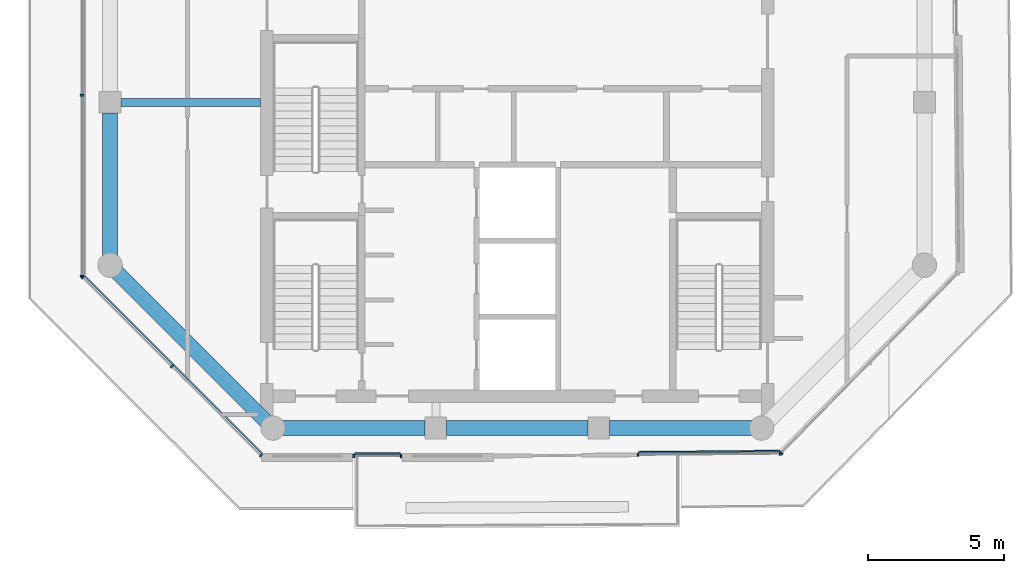
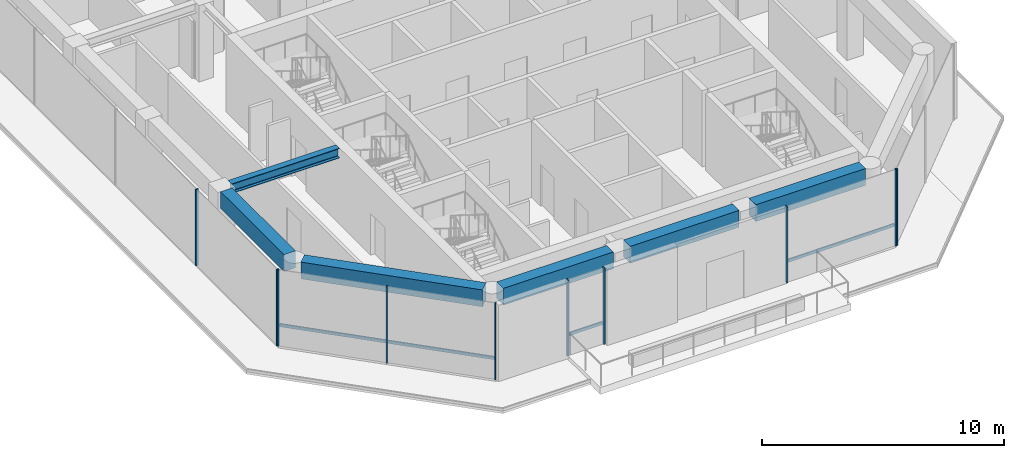
# One storey, part 2 of 19: 13 members, 6 beams, 5 elements without a shape of their own.
"""IFC4 building model written with IfcOpenShell, lengths in metres."""

from ifc_helpers import new_model, si_unit, direction, frame, origin, origin_2d, place, context, subcontext, project, spatial, rectangle, i_section, extrude, material, layer, layer_set, material_profile, profile_set, type_object, element, aggregate, save


model = new_model("IFC4")

# Units and contexts
model_context = context("Model", 3, precision=1e-05, world=origin(), true_north=direction((0.0, 1.0)))
body_context = subcontext(model_context, "Body", "Model", "MODEL_VIEW")
ifc_project = project(units=[si_unit("LENGTHUNIT", "METRE"), si_unit("AREAUNIT", "SQUARE_METRE"), si_unit("VOLUMEUNIT", "CUBIC_METRE"), si_unit("PLANEANGLEUNIT", "RADIAN"), si_unit("MASSUNIT", "GRAM", prefix="KILO")], contexts=[model_context])

# Site, building, storey
site_placement = place(None, origin())
site = spatial("IfcSite", under=ifc_project, at=site_placement, CompositionType="ELEMENT")
building_placement = place(site_placement, origin())
building = spatial("IfcBuilding", under=site, at=building_placement, Name="Welwitschia Terrace Campus", CompositionType="ELEMENT")
storey_placement = place(building_placement, frame((0.0, 0.0, 226.39990234375)))
storey = spatial("IfcBuildingStorey", under=building, at=storey_placement, Name="L50", CompositionType="ELEMENT", Elevation=226.39990234375)

# Curtain wall, members
ifc_material_1 = material(Name="Bronze anodised aluminium", Category="aluminium")
ifc_layer = layer(ifc_material_1, 0.1201171875)
ifc_layer_set = layer_set([ifc_layer], Name="Bronze anodised aluminium")
curtain_wall_type = type_object("IfcCurtainWallType", Name="Curtain wall CW2 tower 6000", PredefinedType="NOTDEFINED", material=ifc_layer_set)
curtain_wall_1_placement = place(storey_placement, origin())
curtain_wall_1 = element("IfcCurtainWall", 1, at=curtain_wall_1_placement, inside=storey, type_object=curtain_wall_type, Name="CW L50.1.0", PredefinedType="NOTDEFINED")
ifc_material_2 = material(Name="Bronze anodised aluminium", Category="aluminium")
ifc_material_profile_1 = material_profile(ifc_material_2, rectangle(XDim=0.1201171875, YDim=0.06005859375, at=origin_2d()))
ifc_profile_set_1 = profile_set([ifc_material_profile_1], Name="Bronze anodised aluminium")
member_type_1 = type_object("IfcMemberType", Name="Mullion 60x120", PredefinedType="MULLION", material=ifc_profile_set_1)
member_1_placement = place(storey_placement, frame((-1.030029296875, 16.2607421875, 0.0), z_axis=(0.0, 0.0, 1.0), x_axis=(1.0, 0.0, 0.0)))
member_1 = element("IfcMember", 2, at=member_1_placement, type_object=member_type_1, Name="Mullion L50.1.0.3", PredefinedType="MULLION", context=body_context, shape_type="SweptSolid", body=[
    extrude(rectangle(XDim=0.1201171875, YDim=0.06005859375, at=origin_2d()), origin(), (0.0, 0.0, 1.0), 3.85009765625),
])
member_2_placement = place(storey_placement, frame((-1.030029296875, 9.603271484375, 0.0), z_axis=(0.0, 0.0, 1.0), x_axis=(1.0, 0.0, 0.0)))
member_2 = element("IfcMember", 3, at=member_2_placement, type_object=member_type_1, Name="Mullion L50.1.0.4", PredefinedType="MULLION", context=body_context, shape_type="SweptSolid", body=[
    extrude(rectangle(XDim=0.1201171875, YDim=0.06005859375, at=origin_2d()), origin(), (0.0, 0.0, 1.0), 3.85009765625),
])
aggregate(curtain_wall_1, [member_1, member_2])

curtain_wall_2_placement = place(storey_placement, origin())
curtain_wall_2 = element("IfcCurtainWall", 4, at=curtain_wall_2_placement, inside=storey, type_object=curtain_wall_type, Name="CW L50.2.0", PredefinedType="NOTDEFINED")
member_3_placement = place(storey_placement, frame((-1.0087890625, 9.55224609375, 0.0), z_axis=(0.0, 0.0, 1.0), x_axis=(0.707106781187, 0.707106781187, 0.0)))
member_3 = element("IfcMember", 5, at=member_3_placement, type_object=member_type_1, Name="Mullion L50.2.0.0", PredefinedType="MULLION", context=body_context, shape_type="SweptSolid", body=[
    extrude(rectangle(XDim=0.1201171875, YDim=0.06005859375, at=origin_2d()), origin(), (0.0, 0.0, 1.0), 3.85009765625),
])
member_4_placement = place(storey_placement, frame((2.271728515625, 6.271728515625, 0.0), z_axis=(0.0, 0.0, 1.0), x_axis=(0.707106781187, 0.707106781187, 0.0)))
member_4 = element("IfcMember", 6, at=member_4_placement, type_object=member_type_1, Name="Mullion L50.2.0.1", PredefinedType="MULLION", context=body_context, shape_type="SweptSolid", body=[
    extrude(rectangle(XDim=0.1201171875, YDim=0.06005859375, at=origin_2d()), origin(), (0.0, 0.0, 1.0), 3.85009765625),
])
member_5_placement = place(storey_placement, frame((5.55224609375, 2.9912109375, 0.0), z_axis=(0.0, 0.0, 1.0), x_axis=(0.707106781187, 0.707106781187, 0.0)))
member_5 = element("IfcMember", 7, at=member_5_placement, type_object=member_type_1, Name="Mullion L50.2.0.2", PredefinedType="MULLION", context=body_context, shape_type="SweptSolid", body=[
    extrude(rectangle(XDim=0.1201171875, YDim=0.06005859375, at=origin_2d()), origin(), (0.0, 0.0, 1.0), 3.85009765625),
])

curtain_wall_3_placement = place(storey_placement, origin())
curtain_wall_3 = element("IfcCurtainWall", 8, at=curtain_wall_3_placement, inside=storey, type_object=curtain_wall_type, Name="CW L50.3.S0", PredefinedType="NOTDEFINED")
member_6_placement = place(storey_placement, frame((8.97607421875, 2.969970703125, 0.0), z_axis=(0.0, 0.0, 1.0), x_axis=(0.0, 1.0, 0.0)))
member_6 = element("IfcMember", 9, at=member_6_placement, type_object=member_type_1, Name="Mullion L50.3.S0.0", PredefinedType="MULLION", context=body_context, shape_type="SweptSolid", body=[
    extrude(rectangle(XDim=0.1201171875, YDim=0.06005859375, at=origin_2d()), origin(), (0.0, 0.0, 1.0), 3.85009765625),
])
member_7_placement = place(storey_placement, frame((10.716064453125, 2.969970703125, 0.0), z_axis=(0.0, 0.0, 1.0), x_axis=(0.0, 1.0, 0.0)))
member_7 = element("IfcMember", 10, at=member_7_placement, type_object=member_type_1, Name="Mullion L50.3.S0.1", PredefinedType="MULLION", context=body_context, shape_type="SweptSolid", body=[
    extrude(rectangle(XDim=0.1201171875, YDim=0.06005859375, at=origin_2d()), origin(), (0.0, 0.0, 1.0), 3.85009765625),
])

curtain_wall_4_placement = place(storey_placement, origin())
curtain_wall_4 = element("IfcCurtainWall", 11, at=curtain_wall_4_placement, inside=storey, type_object=curtain_wall_type, Name="CW L50.4.1", PredefinedType="NOTDEFINED")
member_8_placement = place(storey_placement, frame((19.4482421875, 3.0166015625, 0.0), z_axis=(0.0, 0.0, 1.0), x_axis=(-0.008726535498, 0.999961923064, 0.0)))
member_8 = element("IfcMember", 12, at=member_8_placement, type_object=member_type_1, Name="Mullion L50.4.1.0", PredefinedType="MULLION", context=body_context, shape_type="SweptSolid", body=[
    extrude(rectangle(XDim=0.1201171875, YDim=0.06005859375, at=origin_2d()), origin(), (0.0, 0.0, 1.0), 3.85009765625),
])
member_9_placement = place(storey_placement, frame((24.68798828125, 3.062255859375, 0.0), z_axis=(0.0, 0.0, 1.0), x_axis=(-0.008726535498, 0.999961923064, 0.0)))
member_9 = element("IfcMember", 13, at=member_9_placement, type_object=member_type_1, Name="Mullion L50.4.1.1", PredefinedType="MULLION", context=body_context, shape_type="SweptSolid", body=[
    extrude(rectangle(XDim=0.1201171875, YDim=0.06005859375, at=origin_2d()), origin(), (0.0, 0.0, 1.0), 3.85009765625),
])

# Curtain wall, member
curtain_wall_5_placement = place(storey_placement, origin())
curtain_wall_5 = element("IfcCurtainWall", 14, at=curtain_wall_5_placement, inside=storey, type_object=curtain_wall_type, Name="CW L50.5.0", PredefinedType="NOTDEFINED")
member_10_placement = place(storey_placement, frame((24.739013671875, 3.083984375, 0.0), z_axis=(0.0, 0.0, 1.0), x_axis=(-0.713250449154, 0.7009092643, 0.0)))
member_10 = element("IfcMember", 15, at=member_10_placement, type_object=member_type_1, Name="Mullion L50.5.0.0", PredefinedType="MULLION", context=body_context, shape_type="SweptSolid", body=[
    extrude(rectangle(XDim=0.1201171875, YDim=0.06005859375, at=origin_2d()), origin(), (0.0, 0.0, 1.0), 3.85009765625),
])
aggregate(curtain_wall_5, [member_10])

# Beams
ifc_material_3 = material(Name="Steel S355", Category="steel")
ifc_material_profile_2 = material_profile(ifc_material_3, i_section(OverallWidth=0.300048828125, OverallDepth=0.489990234375, WebThickness=0.011962890625, FlangeThickness=0.02294921875, FilletRadius=0.027099609375, at=origin_2d()))
ifc_profile_set_2 = profile_set([ifc_material_profile_2], Name="Steel S355")
beam_type_1 = type_object("IfcBeamType", Name="Primary beam HE 500 A", PredefinedType="BEAM", material=ifc_profile_set_2)
beam_1_placement = place(storey_placement, frame((0.400390625, 16.0, 3.60498046875), z_axis=(1.0, 0.0, 0.0), x_axis=(0.0, 1.0, 0.0)))
element("IfcBeam", 16, at=beam_1_placement, inside=storey, type_object=beam_type_1, Name="Primary beam PB5", PredefinedType="BEAM", context=body_context, shape_type="SweptSolid", body=[
    extrude(i_section(OverallWidth=0.300048828125, OverallDepth=0.489990234375, WebThickness=0.011962890625, FlangeThickness=0.02294921875, FilletRadius=0.027099609375, at=origin_2d()), origin(), (0.0, 0.0, 1.0), 5.149658203125),
])
ifc_material_4 = material(Name="Concrete C50/60", Category="concrete")
ifc_material_profile_3 = material_profile(ifc_material_4, rectangle(XDim=0.550048828125, YDim=0.85009765625, at=origin_2d()))
ifc_profile_set_3 = profile_set([ifc_material_profile_3], Name="Concrete C50/60")
beam_type_2 = type_object("IfcBeamType", Name="Ring spandrel 550x850", PredefinedType="SPANDREL", material=ifc_profile_set_3)
beam_2_placement = place(storey_placement, frame((0.25244140625, 9.74755859375, 3.425048828125), z_axis=(0.707106781187, -0.707106781187, 0.0), x_axis=(0.707106781187, 0.707106781187, 0.0)))
element("IfcBeam", 17, at=beam_2_placement, inside=storey, type_object=beam_type_2, Name="Spandrel SP3", PredefinedType="SPANDREL", context=body_context, shape_type="SweptSolid", body=[
    extrude(rectangle(XDim=0.550048828125, YDim=0.85009765625, at=origin_2d()), origin(), (0.0, 0.0, 1.0), 7.771240234375),
])
beam_3_placement = place(storey_placement, frame((6.35693359375, 4.0, 3.425048828125), z_axis=(1.0, 0.0, 0.0), x_axis=(0.0, 1.0, 0.0)))
element("IfcBeam", 18, at=beam_3_placement, inside=storey, type_object=beam_type_2, Name="Spandrel SP3", PredefinedType="SPANDREL", context=body_context, shape_type="SweptSolid", body=[
    extrude(rectangle(XDim=0.550048828125, YDim=0.85009765625, at=origin_2d()), origin(), (0.0, 0.0, 1.0), 5.24267578125),
])
beam_4_placement = place(storey_placement, frame((12.400390625, 4.0, 3.425048828125), z_axis=(1.0, 0.0, 0.0), x_axis=(0.0, 1.0, 0.0)))
element("IfcBeam", 19, at=beam_4_placement, inside=storey, type_object=beam_type_2, Name="Spandrel SP3", PredefinedType="SPANDREL", context=body_context, shape_type="SweptSolid", body=[
    extrude(rectangle(XDim=0.550048828125, YDim=0.85009765625, at=origin_2d()), origin(), (0.0, 0.0, 1.0), 5.19921875),
])
for number, where, z_axis, x_axis, name in (
    (20, (18.400390625, 4.0, 3.425048828125), (1.0, 0.0, 0.0), (0.0, 1.0, 0.0), "Spandrel SP3"),
    (21, (0.0, 15.599609375, 3.425048828125), (0.0, -1.0, 0.0), (1.0, 0.0, 0.0), "Spandrel SP3"),
):
    element("IfcBeam", number, at=place(storey_placement, frame(where, z_axis=z_axis, x_axis=x_axis)), inside=storey, type_object=beam_type_2, Name=name, PredefinedType="SPANDREL", context=body_context, shape_type="SweptSolid", body=[
        extrude(rectangle(XDim=0.550048828125, YDim=0.85009765625, at=origin_2d()), origin(), (0.0, 0.0, 1.0), 5.24267578125),
    ])

# Member
ifc_material_5 = material(Name="Bronze anodised aluminium", Category="aluminium")
ifc_material_profile_4 = material_profile(ifc_material_5, rectangle(XDim=0.06005859375, YDim=0.14990234375, at=origin_2d()))
ifc_profile_set_4 = profile_set([ifc_material_profile_4], Name="Bronze anodised aluminium")
member_type_2 = type_object("IfcMemberType", Name="Transom 60x150", PredefinedType="USERDEFINED", material=ifc_profile_set_4)
member_11_placement = place(storey_placement, frame((-0.923828125, 9.594482421875, 1.0), z_axis=(0.707106781187, -0.707106781187, 0.0), x_axis=(0.707106781187, 0.707106781187, 0.0)))
member_11 = element("IfcMember", 22, at=member_11_placement, type_object=member_type_2, Name="Transom L50.2.0", ObjectType="TRANSOM", PredefinedType="USERDEFINED", context=body_context, shape_type="SweptSolid", body=[
    extrude(rectangle(XDim=0.06005859375, YDim=0.14990234375, at=origin_2d()), origin(), (0.0, 0.0, 1.0), 9.21826171875),
])

aggregate(curtain_wall_2, [member_3, member_4, member_5, member_11])

member_12_placement = place(storey_placement, frame((9.006103515625, 3.06005859375, 1.0), z_axis=(1.0, 0.0, 0.0), x_axis=(0.0, 1.0, 0.0)))
member_12 = element("IfcMember", 23, at=member_12_placement, type_object=member_type_2, Name="Transom L50.3.S0", ObjectType="TRANSOM", PredefinedType="USERDEFINED", context=body_context, shape_type="SweptSolid", body=[
    extrude(rectangle(XDim=0.06005859375, YDim=0.14990234375, at=origin_2d()), origin(), (0.0, 0.0, 1.0), 1.679931640625),
])

aggregate(curtain_wall_3, [member_6, member_7, member_12])

member_13_placement = place(storey_placement, frame((19.4775390625, 3.106689453125, 1.0), z_axis=(0.999961980831, 0.008719913573, 0.0), x_axis=(-0.008719913573, 0.999961980831, 0.0)))
member_13 = element("IfcMember", 24, at=member_13_placement, type_object=member_type_2, Name="Transom L50.4.1", ObjectType="TRANSOM", PredefinedType="USERDEFINED", context=body_context, shape_type="SweptSolid", body=[
    extrude(rectangle(XDim=0.06005859375, YDim=0.14990234375, at=origin_2d()), origin(), (0.0, 0.0, 1.0), 5.1796875),
])

aggregate(curtain_wall_4, [member_8, member_9, member_13])

save(model, "model.ifc")
